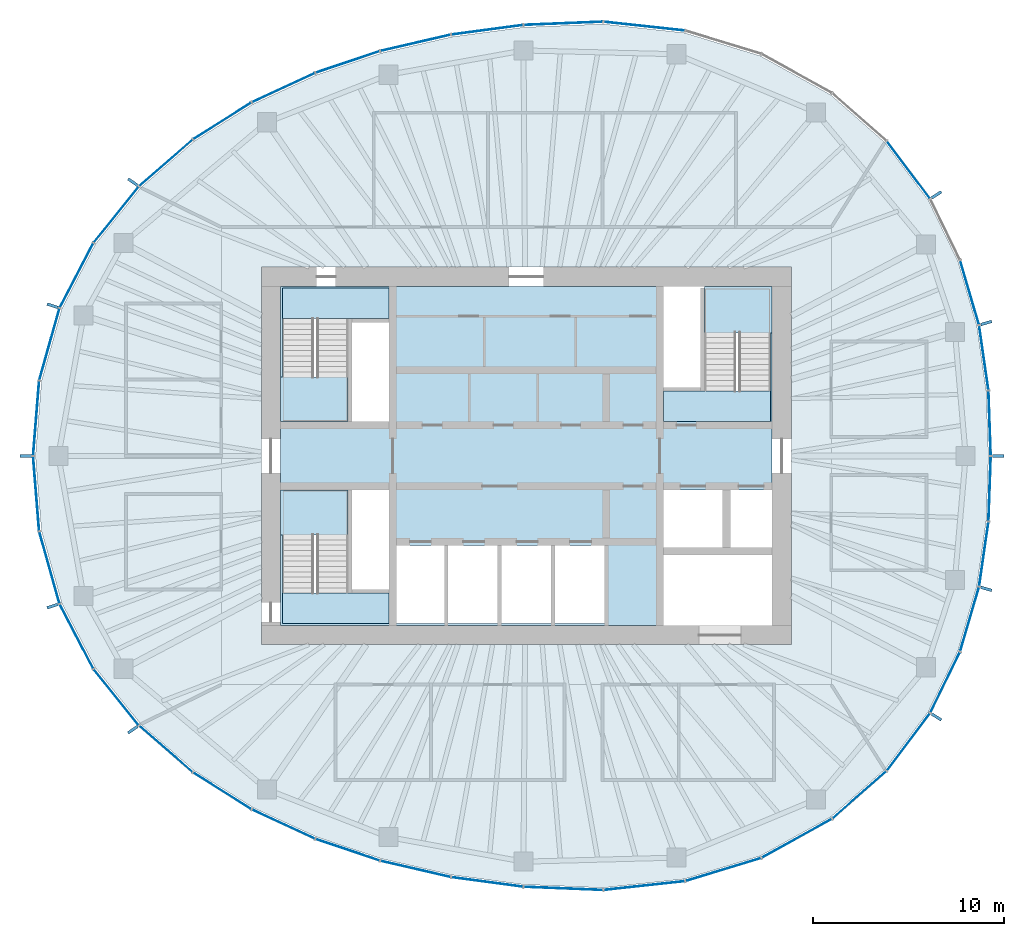
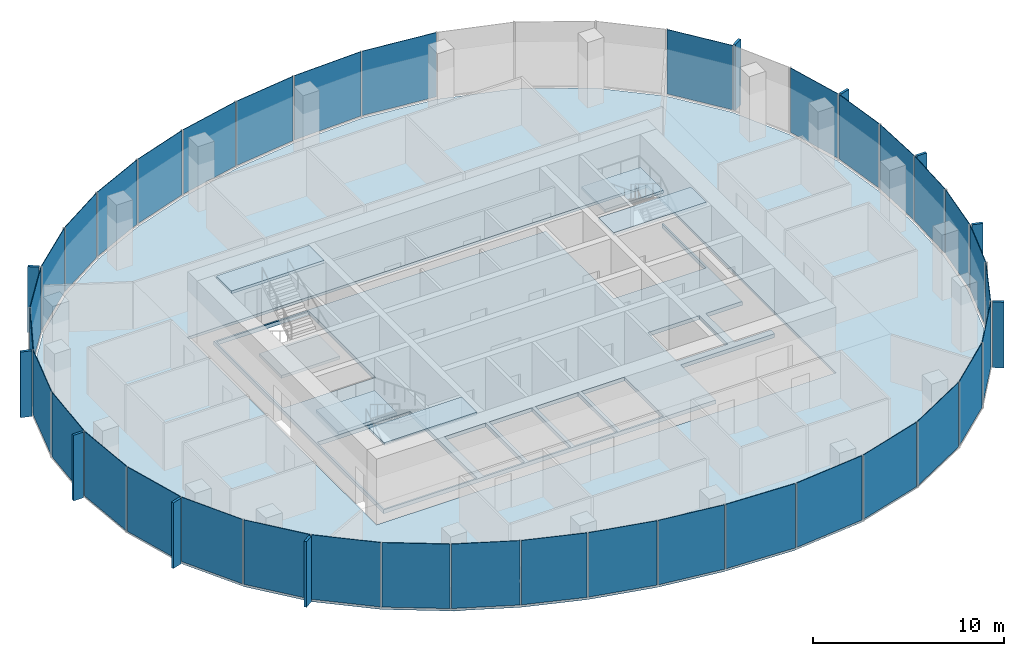
# One storey, part 7 of 11: 46 plates, 8 slabs, 22 elements without a shape of their own.
"""IFC4 building model written with IfcOpenShell, lengths in metres."""

from ifc_helpers import new_model, si_unit, direction, frame, origin, origin_2d, place, context, subcontext, project, spatial, polyline, rectangle, outline, extrude, material, layer, layer_set, type_object, element, aggregate, save


model = new_model("IFC4")

# Units and contexts
model_context = context("Model", 3, precision=1e-05, world=origin(), true_north=direction((0.0, 1.0)))
body_context = subcontext(model_context, "Body", "Model", "MODEL_VIEW")
ifc_project = project(units=[si_unit("LENGTHUNIT", "METRE"), si_unit("AREAUNIT", "SQUARE_METRE"), si_unit("VOLUMEUNIT", "CUBIC_METRE"), si_unit("PLANEANGLEUNIT", "RADIAN"), si_unit("MASSUNIT", "GRAM", prefix="KILO")], contexts=[model_context])

# Site, building, storey
site_placement = place(None, origin())
site = spatial("IfcSite", under=ifc_project, at=site_placement, CompositionType="ELEMENT")
building_placement = place(site_placement, origin())
building = spatial("IfcBuilding", under=site, at=building_placement, Name="Ghaith Harvest Tower", CompositionType="ELEMENT")
storey_placement = place(building_placement, frame((0.0, 0.0, 321.60009765625)))
storey = spatial("IfcBuildingStorey", under=building, at=storey_placement, Name="L72", CompositionType="ELEMENT", Elevation=321.60009765625)

# Curtain wall, plates
ifc_material_1 = material(Name="Black anodised aluminium and fritted glass", Category="aluminium")
curtain_wall_type = type_object("IfcCurtainWallType", Name="CW-T CURTAIN WALL", PredefinedType="NOTDEFINED", material=ifc_material_1)
curtain_wall_1_placement = place(storey_placement, origin())
curtain_wall_1 = element("IfcCurtainWall", 1, at=curtain_wall_1_placement, inside=storey, type_object=curtain_wall_type, Name="Curtain wall CW-T bay 01 L72", PredefinedType="NOTDEFINED")
ifc_material_2 = material(Name="Glass, dark solar-control fritted double glazed unit", Category="glass")
ifc_layer_1 = layer(ifc_material_2, 0.033935546875)
ifc_layer_set_1 = layer_set([ifc_layer_1], Name="CW-T VISION PANEL")
plate_type_1 = type_object("IfcPlateType", Name="CW-T VISION PANEL", PredefinedType="CURTAIN_PANEL", material=ifc_layer_set_1)
plate_1_placement = place(storey_placement, frame((24.308837890625, 1.716796875, 0.079833984375), z_axis=(0.0, 0.0, 1.0), x_axis=(-0.035536161859, 0.999368391135, 0.0)))
plate_1 = element("IfcPlate", 2, at=plate_1_placement, type_object=plate_type_1, Name="CW-T glass unit 1 bay 01 L72", PredefinedType="CURTAIN_PANEL", context=body_context, shape_type="SweptSolid", body=[
    extrude(rectangle(XDim=3.35595703125, YDim=0.033935546875, at=origin_2d()), origin(), (0.0, 0.0, 1.0), 4.1201171875),
])
plate_2_placement = place(storey_placement, frame((24.00048828125, 5.1494140625, 0.079833984375), z_axis=(0.0, 0.0, 1.0), x_axis=(-0.142729771229, 0.989761694755, 0.0)))
plate_2 = element("IfcPlate", 3, at=plate_2_placement, type_object=plate_type_1, Name="CW-T glass unit 2 bay 01 L72", PredefinedType="CURTAIN_PANEL", context=body_context, shape_type="SweptSolid", body=[
    extrude(rectangle(XDim=3.38671875, YDim=0.033935546875, at=origin_2d()), origin(), (0.0, 0.0, 1.0), 4.1201171875),
])
aggregate(curtain_wall_1, [plate_1, plate_2])

# Curtain wall, plate
curtain_wall_2_placement = place(storey_placement, origin())
curtain_wall_2 = element("IfcCurtainWall", 4, at=curtain_wall_2_placement, inside=storey, type_object=curtain_wall_type, Name="Curtain wall CW-T bay 02 L72", PredefinedType="NOTDEFINED")
plate_3_placement = place(storey_placement, frame((23.253662109375, 8.56884765625, 0.079833984375), z_axis=(0.0, 0.0, 1.0), x_axis=(-0.281344622776, 0.959606796159, 0.0)))
plate_3 = element("IfcPlate", 5, at=plate_3_placement, type_object=plate_type_1, Name="CW-T glass unit 1 bay 02 L72", PredefinedType="CURTAIN_PANEL", context=body_context, shape_type="SweptSolid", body=[
    extrude(rectangle(XDim=3.470703125, YDim=0.033935546875, at=origin_2d()), origin(), (0.0, 0.0, 1.0), 4.1201171875),
])
aggregate(curtain_wall_2, [plate_3])

curtain_wall_3_placement = place(storey_placement, origin())
curtain_wall_3 = element("IfcCurtainWall", 6, at=curtain_wall_3_placement, inside=storey, type_object=curtain_wall_type, Name="Curtain wall CW-T bay 03 L72", PredefinedType="NOTDEFINED")
plate_4_placement = place(storey_placement, frame((20.045166015625, 15.006103515625, 0.079833984375), z_axis=(0.0, 0.0, 1.0), x_axis=(-0.601047892764, 0.799213007029, 0.0)))
plate_4 = element("IfcPlate", 7, at=plate_4_placement, type_object=plate_type_1, Name="CW-T glass unit 1 bay 03 L72", PredefinedType="CURTAIN_PANEL", context=body_context, shape_type="SweptSolid", body=[
    extrude(rectangle(XDim=3.7265625, YDim=0.033935546875, at=origin_2d()), origin(), (0.0, 0.0, 1.0), 4.1201171875),
])
aggregate(curtain_wall_3, [plate_4])

# Curtain wall, plates
curtain_wall_4_placement = place(storey_placement, origin())
curtain_wall_4 = element("IfcCurtainWall", 8, at=curtain_wall_4_placement, inside=storey, type_object=curtain_wall_type, Name="Curtain wall CW-T bay 05 L72", PredefinedType="NOTDEFINED")
plate_5_placement = place(storey_placement, frame((6.188720703125, 22.542724609375, 0.079833984375), z_axis=(0.0, 0.0, 1.0), x_axis=(-0.994142883447, 0.108073712304, 0.0)))
plate_5 = element("IfcPlate", 9, at=plate_5_placement, type_object=plate_type_1, Name="CW-T glass unit 1 bay 05 L72", PredefinedType="CURTAIN_PANEL", context=body_context, shape_type="SweptSolid", body=[
    extrude(rectangle(XDim=4.24755859375, YDim=0.033935546875, at=origin_2d()), origin(), (0.0, 0.0, 1.0), 4.1201171875),
])
plate_6_placement = place(storey_placement, frame((1.94140625, 22.691162109375, 0.079833984375), z_axis=(0.0, 0.0, 1.0), x_axis=(-0.999173925852, -0.040638231968, 0.0)))
plate_6 = element("IfcPlate", 10, at=plate_6_placement, type_object=plate_type_1, Name="CW-T glass unit 2 bay 05 L72", PredefinedType="CURTAIN_PANEL", context=body_context, shape_type="SweptSolid", body=[
    extrude(rectangle(XDim=4.115966796875, YDim=0.033935546875, at=origin_2d()), origin(), (0.0, 0.0, 1.0), 4.1201171875),
])
aggregate(curtain_wall_4, [plate_5, plate_6])

curtain_wall_5_placement = place(storey_placement, origin())
curtain_wall_5 = element("IfcCurtainWall", 11, at=curtain_wall_5_placement, inside=storey, type_object=curtain_wall_type, Name="Curtain wall CW-T bay 06 L72", PredefinedType="NOTDEFINED")
plate_7_placement = place(storey_placement, frame((-2.050537109375, 22.352294921875, 0.079833984375), z_axis=(0.0, 0.0, 1.0), x_axis=(-0.991165262661, -0.132632658474, 0.0)))
plate_7 = element("IfcPlate", 12, at=plate_7_placement, type_object=plate_type_1, Name="CW-T glass unit 1 bay 06 L72", PredefinedType="CURTAIN_PANEL", context=body_context, shape_type="SweptSolid", body=[
    extrude(rectangle(XDim=3.74560546875, YDim=0.033935546875, at=origin_2d()), origin(), (0.0, 0.0, 1.0), 4.1201171875),
])
plate_8_placement = place(storey_placement, frame((-5.80859375, 21.66845703125, 0.079833984375), z_axis=(0.0, 0.0, 1.0), x_axis=(-0.974342245415, -0.225071519297, 0.0)))
plate_8 = element("IfcPlate", 13, at=plate_8_placement, type_object=plate_type_1, Name="CW-T glass unit 2 bay 06 L72", PredefinedType="CURTAIN_PANEL", context=body_context, shape_type="SweptSolid", body=[
    extrude(rectangle(XDim=3.742431640625, YDim=0.033935546875, at=origin_2d()), origin(), (0.0, 0.0, 1.0), 4.1201171875),
])
aggregate(curtain_wall_5, [plate_7, plate_8])

curtain_wall_6_placement = place(storey_placement, origin())
curtain_wall_6 = element("IfcCurtainWall", 14, at=curtain_wall_6_placement, inside=storey, type_object=curtain_wall_type, Name="Curtain wall CW-T bay 07 L72", PredefinedType="NOTDEFINED")
plate_9_placement = place(storey_placement, frame((-9.369140625, 20.665771484375, 0.079833984375), z_axis=(0.0, 0.0, 1.0), x_axis=(-0.947586403329, -0.319499621637, 0.0)))
plate_9 = element("IfcPlate", 15, at=plate_9_placement, type_object=plate_type_1, Name="CW-T glass unit 1 bay 07 L72", PredefinedType="CURTAIN_PANEL", context=body_context, shape_type="SweptSolid", body=[
    extrude(rectangle(XDim=3.50439453125, YDim=0.033935546875, at=origin_2d()), origin(), (0.0, 0.0, 1.0), 4.1201171875),
])
plate_10_placement = place(storey_placement, frame((-12.736083984375, 19.3203125, 0.079833984375), z_axis=(0.0, 0.0, 1.0), x_axis=(-0.907450165401, -0.420159728334, 0.0)))
plate_10 = element("IfcPlate", 16, at=plate_10_placement, type_object=plate_type_1, Name="CW-T glass unit 2 bay 07 L72", PredefinedType="CURTAIN_PANEL", context=body_context, shape_type="SweptSolid", body=[
    extrude(rectangle(XDim=3.597900390625, YDim=0.033935546875, at=origin_2d()), origin(), (0.0, 0.0, 1.0), 4.1201171875),
])
aggregate(curtain_wall_6, [plate_9, plate_10])

curtain_wall_7_placement = place(storey_placement, origin())
curtain_wall_7 = element("IfcCurtainWall", 17, at=curtain_wall_7_placement, inside=storey, type_object=curtain_wall_type, Name="Curtain wall CW-T bay 08 L72", PredefinedType="NOTDEFINED")
plate_11_placement = place(storey_placement, frame((-15.94970703125, 17.57421875, 0.079833984375), z_axis=(0.0, 0.0, 1.0), x_axis=(-0.846043473903, -0.533113909279, 0.0)))
plate_11 = element("IfcPlate", 18, at=plate_11_placement, type_object=plate_type_1, Name="CW-T glass unit 1 bay 08 L72", PredefinedType="CURTAIN_PANEL", context=body_context, shape_type="SweptSolid", body=[
    extrude(rectangle(XDim=3.572021484375, YDim=0.033935546875, at=origin_2d()), origin(), (0.0, 0.0, 1.0), 4.1201171875),
])
plate_12_placement = place(storey_placement, frame((-18.909423828125, 15.371337890625, 0.079833984375), z_axis=(0.0, 0.0, 1.0), x_axis=(-0.754828549513, -0.655922145411, 0.0)))
plate_12 = element("IfcPlate", 19, at=plate_12_placement, type_object=plate_type_1, Name="CW-T glass unit 2 bay 08 L72", PredefinedType="CURTAIN_PANEL", context=body_context, shape_type="SweptSolid", body=[
    extrude(rectangle(XDim=3.668701171875, YDim=0.033935546875, at=origin_2d()), origin(), (0.0, 0.0, 1.0), 4.1201171875),
])
aggregate(curtain_wall_7, [plate_11, plate_12])

curtain_wall_8_placement = place(storey_placement, origin())
curtain_wall_8 = element("IfcCurtainWall", 20, at=curtain_wall_8_placement, inside=storey, type_object=curtain_wall_type, Name="Curtain wall CW-T bay 09 L72", PredefinedType="NOTDEFINED")
plate_13_placement = place(storey_placement, frame((-21.515380859375, 12.6591796875, 0.079833984375), z_axis=(0.0, 0.0, 1.0), x_axis=(-0.626229505742, -0.779638766441, 0.0)))
plate_13 = element("IfcPlate", 21, at=plate_13_placement, type_object=plate_type_1, Name="CW-T glass unit 1 bay 09 L72", PredefinedType="CURTAIN_PANEL", context=body_context, shape_type="SweptSolid", body=[
    extrude(rectangle(XDim=3.723388671875, YDim=0.033935546875, at=origin_2d()), origin(), (0.0, 0.0, 1.0), 4.1201171875),
])
plate_14_placement = place(storey_placement, frame((-23.594482421875, 9.4677734375, 0.079833984375), z_axis=(0.0, 0.0, 1.0), x_axis=(-0.461229945578, -0.887280641794, 0.0)))
plate_14 = element("IfcPlate", 22, at=plate_14_placement, type_object=plate_type_1, Name="CW-T glass unit 2 bay 09 L72", PredefinedType="CURTAIN_PANEL", context=body_context, shape_type="SweptSolid", body=[
    extrude(rectangle(XDim=3.771728515625, YDim=0.033935546875, at=origin_2d()), origin(), (0.0, 0.0, 1.0), 4.1201171875),
])
aggregate(curtain_wall_8, [plate_13, plate_14])

curtain_wall_9_placement = place(storey_placement, origin())
curtain_wall_9 = element("IfcCurtainWall", 23, at=curtain_wall_9_placement, inside=storey, type_object=curtain_wall_type, Name="Curtain wall CW-T bay 10 L72", PredefinedType="NOTDEFINED")
plate_15_placement = place(storey_placement, frame((-25.017333984375, 5.85546875, 0.079833984375), z_axis=(0.0, 0.0, 1.0), x_axis=(-0.270355239749, -0.962760637095, 0.0)))
plate_15 = element("IfcPlate", 24, at=plate_15_placement, type_object=plate_type_1, Name="CW-T glass unit 1 bay 10 L72", PredefinedType="CURTAIN_PANEL", context=body_context, shape_type="SweptSolid", body=[
    extrude(rectangle(XDim=3.874267578125, YDim=0.033935546875, at=origin_2d()), origin(), (0.0, 0.0, 1.0), 4.1201171875),
])
plate_16_placement = place(storey_placement, frame((-25.7109375, 1.97607421875, 0.079833984375), z_axis=(0.0, 0.0, 1.0), x_axis=(-0.080257648011, -0.99677415192, 0.0)))
plate_16 = element("IfcPlate", 25, at=plate_16_placement, type_object=plate_type_1, Name="CW-T glass unit 2 bay 10 L72", PredefinedType="CURTAIN_PANEL", context=body_context, shape_type="SweptSolid", body=[
    extrude(rectangle(XDim=3.884765625, YDim=0.033935546875, at=origin_2d()), origin(), (0.0, 0.0, 1.0), 4.1201171875),
])
aggregate(curtain_wall_9, [plate_15, plate_16])

curtain_wall_10_placement = place(storey_placement, origin())
curtain_wall_10 = element("IfcCurtainWall", 26, at=curtain_wall_10_placement, inside=storey, type_object=curtain_wall_type, Name="Curtain wall CW-T bay 11 L72", PredefinedType="NOTDEFINED")
plate_17_placement = place(storey_placement, frame((-25.7109375, -1.97607421875, 0.079833984375), z_axis=(0.0, 0.0, 1.0), x_axis=(0.080257648324, -0.996774151895, 0.0)))
plate_17 = element("IfcPlate", 27, at=plate_17_placement, type_object=plate_type_1, Name="CW-T glass unit 1 bay 11 L72", PredefinedType="CURTAIN_PANEL", context=body_context, shape_type="SweptSolid", body=[
    extrude(rectangle(XDim=3.884765625, YDim=0.033935546875, at=origin_2d()), origin(), (0.0, 0.0, 1.0), 4.1201171875),
])
plate_18_placement = place(storey_placement, frame((-25.017333984375, -5.85546875, 0.079833984375), z_axis=(0.0, 0.0, 1.0), x_axis=(0.27035523953, -0.962760637157, 0.0)))
plate_18 = element("IfcPlate", 28, at=plate_18_placement, type_object=plate_type_1, Name="CW-T glass unit 2 bay 11 L72", PredefinedType="CURTAIN_PANEL", context=body_context, shape_type="SweptSolid", body=[
    extrude(rectangle(XDim=3.874267578125, YDim=0.033935546875, at=origin_2d()), origin(), (0.0, 0.0, 1.0), 4.1201171875),
])
aggregate(curtain_wall_10, [plate_17, plate_18])

curtain_wall_11_placement = place(storey_placement, origin())
curtain_wall_11 = element("IfcCurtainWall", 29, at=curtain_wall_11_placement, inside=storey, type_object=curtain_wall_type, Name="Curtain wall CW-T bay 12 L72", PredefinedType="NOTDEFINED")
plate_19_placement = place(storey_placement, frame((-23.594482421875, -9.4677734375, 0.079833984375), z_axis=(0.0, 0.0, 1.0), x_axis=(0.461229945377, -0.887280641898, 0.0)))
plate_19 = element("IfcPlate", 30, at=plate_19_placement, type_object=plate_type_1, Name="CW-T glass unit 1 bay 12 L72", PredefinedType="CURTAIN_PANEL", context=body_context, shape_type="SweptSolid", body=[
    extrude(rectangle(XDim=3.771728515625, YDim=0.033935546875, at=origin_2d()), origin(), (0.0, 0.0, 1.0), 4.1201171875),
])
plate_20_placement = place(storey_placement, frame((-21.515380859375, -12.6591796875, 0.079833984375), z_axis=(0.0, 0.0, 1.0), x_axis=(0.626229505565, -0.779638766583, 0.0)))
plate_20 = element("IfcPlate", 31, at=plate_20_placement, type_object=plate_type_1, Name="CW-T glass unit 2 bay 12 L72", PredefinedType="CURTAIN_PANEL", context=body_context, shape_type="SweptSolid", body=[
    extrude(rectangle(XDim=3.723388671875, YDim=0.033935546875, at=origin_2d()), origin(), (0.0, 0.0, 1.0), 4.1201171875),
])
aggregate(curtain_wall_11, [plate_19, plate_20])

curtain_wall_12_placement = place(storey_placement, origin())
curtain_wall_12 = element("IfcCurtainWall", 32, at=curtain_wall_12_placement, inside=storey, type_object=curtain_wall_type, Name="Curtain wall CW-T bay 13 L72", PredefinedType="NOTDEFINED")
plate_21_placement = place(storey_placement, frame((-18.909423828125, -15.371337890625, 0.079833984375), z_axis=(0.0, 0.0, 1.0), x_axis=(0.754828549376, -0.655922145569, 0.0)))
plate_21 = element("IfcPlate", 33, at=plate_21_placement, type_object=plate_type_1, Name="CW-T glass unit 1 bay 13 L72", PredefinedType="CURTAIN_PANEL", context=body_context, shape_type="SweptSolid", body=[
    extrude(rectangle(XDim=3.668701171875, YDim=0.033935546875, at=origin_2d()), origin(), (0.0, 0.0, 1.0), 4.1201171875),
])
plate_22_placement = place(storey_placement, frame((-15.94970703125, -17.57421875, 0.079833984375), z_axis=(0.0, 0.0, 1.0), x_axis=(0.846043474052, -0.533113909042, 0.0)))
plate_22 = element("IfcPlate", 34, at=plate_22_placement, type_object=plate_type_1, Name="CW-T glass unit 2 bay 13 L72", PredefinedType="CURTAIN_PANEL", context=body_context, shape_type="SweptSolid", body=[
    extrude(rectangle(XDim=3.572021484375, YDim=0.033935546875, at=origin_2d()), origin(), (0.0, 0.0, 1.0), 4.1201171875),
])
aggregate(curtain_wall_12, [plate_21, plate_22])

curtain_wall_13_placement = place(storey_placement, origin())
curtain_wall_13 = element("IfcCurtainWall", 35, at=curtain_wall_13_placement, inside=storey, type_object=curtain_wall_type, Name="Curtain wall CW-T bay 14 L72", PredefinedType="NOTDEFINED")
plate_23_placement = place(storey_placement, frame((-12.736083984375, -19.3203125, 0.079833984375), z_axis=(0.0, 0.0, 1.0), x_axis=(0.907450165812, -0.420159727447, 0.0)))
plate_23 = element("IfcPlate", 36, at=plate_23_placement, type_object=plate_type_1, Name="CW-T glass unit 1 bay 14 L72", PredefinedType="CURTAIN_PANEL", context=body_context, shape_type="SweptSolid", body=[
    extrude(rectangle(XDim=3.597900390625, YDim=0.033935546875, at=origin_2d()), origin(), (0.0, 0.0, 1.0), 4.1201171875),
])
plate_24_placement = place(storey_placement, frame((-9.369140625, -20.665771484375, 0.079833984375), z_axis=(0.0, 0.0, 1.0), x_axis=(0.947586403597, -0.319499620843, 0.0)))
plate_24 = element("IfcPlate", 37, at=plate_24_placement, type_object=plate_type_1, Name="CW-T glass unit 2 bay 14 L72", PredefinedType="CURTAIN_PANEL", context=body_context, shape_type="SweptSolid", body=[
    extrude(rectangle(XDim=3.50439453125, YDim=0.033935546875, at=origin_2d()), origin(), (0.0, 0.0, 1.0), 4.1201171875),
])
aggregate(curtain_wall_13, [plate_23, plate_24])

curtain_wall_14_placement = place(storey_placement, origin())
curtain_wall_14 = element("IfcCurtainWall", 38, at=curtain_wall_14_placement, inside=storey, type_object=curtain_wall_type, Name="Curtain wall CW-T bay 15 L72", PredefinedType="NOTDEFINED")
plate_25_placement = place(storey_placement, frame((-5.80859375, -21.66845703125, 0.079833984375), z_axis=(0.0, 0.0, 1.0), x_axis=(0.974342245521, -0.225071518838, 0.0)))
plate_25 = element("IfcPlate", 39, at=plate_25_placement, type_object=plate_type_1, Name="CW-T glass unit 1 bay 15 L72", PredefinedType="CURTAIN_PANEL", context=body_context, shape_type="SweptSolid", body=[
    extrude(rectangle(XDim=3.742431640625, YDim=0.033935546875, at=origin_2d()), origin(), (0.0, 0.0, 1.0), 4.1201171875),
])
plate_26_placement = place(storey_placement, frame((-2.050537109375, -22.352294921875, 0.079833984375), z_axis=(0.0, 0.0, 1.0), x_axis=(0.991165262684, -0.132632658301, 0.0)))
plate_26 = element("IfcPlate", 40, at=plate_26_placement, type_object=plate_type_1, Name="CW-T glass unit 2 bay 15 L72", PredefinedType="CURTAIN_PANEL", context=body_context, shape_type="SweptSolid", body=[
    extrude(rectangle(XDim=3.74560546875, YDim=0.033935546875, at=origin_2d()), origin(), (0.0, 0.0, 1.0), 4.1201171875),
])
aggregate(curtain_wall_14, [plate_25, plate_26])

curtain_wall_15_placement = place(storey_placement, origin())
curtain_wall_15 = element("IfcCurtainWall", 41, at=curtain_wall_15_placement, inside=storey, type_object=curtain_wall_type, Name="Curtain wall CW-T bay 16 L72", PredefinedType="NOTDEFINED")
plate_27_placement = place(storey_placement, frame((1.94140625, -22.691162109375, 0.079833984375), z_axis=(0.0, 0.0, 1.0), x_axis=(0.999173925863, -0.040638231706, 0.0)))
plate_27 = element("IfcPlate", 42, at=plate_27_placement, type_object=plate_type_1, Name="CW-T glass unit 1 bay 16 L72", PredefinedType="CURTAIN_PANEL", context=body_context, shape_type="SweptSolid", body=[
    extrude(rectangle(XDim=4.115966796875, YDim=0.033935546875, at=origin_2d()), origin(), (0.0, 0.0, 1.0), 4.1201171875),
])
plate_28_placement = place(storey_placement, frame((6.188720703125, -22.542724609375, 0.079833984375), z_axis=(0.0, 0.0, 1.0), x_axis=(0.994142883417, 0.108073712581, 0.0)))
plate_28 = element("IfcPlate", 43, at=plate_28_placement, type_object=plate_type_1, Name="CW-T glass unit 2 bay 16 L72", PredefinedType="CURTAIN_PANEL", context=body_context, shape_type="SweptSolid", body=[
    extrude(rectangle(XDim=4.24755859375, YDim=0.033935546875, at=origin_2d()), origin(), (0.0, 0.0, 1.0), 4.1201171875),
])
aggregate(curtain_wall_15, [plate_27, plate_28])

curtain_wall_16_placement = place(storey_placement, origin())
curtain_wall_16 = element("IfcCurtainWall", 44, at=curtain_wall_16_placement, inside=storey, type_object=curtain_wall_type, Name="Curtain wall CW-T bay 17 L72", PredefinedType="NOTDEFINED")
plate_29_placement = place(storey_placement, frame((10.337158203125, -21.700439453125, 0.079833984375), z_axis=(0.0, 0.0, 1.0), x_axis=(0.956587736012, 0.291444511548, 0.0)))
plate_29 = element("IfcPlate", 45, at=plate_29_placement, type_object=plate_type_1, Name="CW-T glass unit 1 bay 17 L72", PredefinedType="CURTAIN_PANEL", context=body_context, shape_type="SweptSolid", body=[
    extrude(rectangle(XDim=4.095703125, YDim=0.033935546875, at=origin_2d()), origin(), (0.0, 0.0, 1.0), 4.1201171875),
])
plate_30_placement = place(storey_placement, frame((14.19189453125, -20.06201171875, 0.079833984375), z_axis=(0.0, 0.0, 1.0), x_axis=(0.874564022715, 0.484910064004, 0.0)))
plate_30 = element("IfcPlate", 46, at=plate_30_placement, type_object=plate_type_1, Name="CW-T glass unit 2 bay 17 L72", PredefinedType="CURTAIN_PANEL", context=body_context, shape_type="SweptSolid", body=[
    extrude(rectangle(XDim=4.167724609375, YDim=0.033935546875, at=origin_2d()), origin(), (0.0, 0.0, 1.0), 4.1201171875),
])
aggregate(curtain_wall_16, [plate_29, plate_30])

curtain_wall_17_placement = place(storey_placement, origin())
curtain_wall_17 = element("IfcCurtainWall", 47, at=curtain_wall_17_placement, inside=storey, type_object=curtain_wall_type, Name="Curtain wall CW-T bay 18 L72", PredefinedType="NOTDEFINED")
plate_31_placement = place(storey_placement, frame((17.47509765625, -17.779541015625, 0.079833984375), z_axis=(0.0, 0.0, 1.0), x_axis=(0.751334532577, 0.659921525757, 0.0)))
plate_31 = element("IfcPlate", 48, at=plate_31_placement, type_object=plate_type_1, Name="CW-T glass unit 1 bay 18 L72", PredefinedType="CURTAIN_PANEL", context=body_context, shape_type="SweptSolid", body=[
    extrude(rectangle(XDim=3.7158203125, YDim=0.033935546875, at=origin_2d()), origin(), (0.0, 0.0, 1.0), 4.1201171875),
])
plate_32_placement = place(storey_placement, frame((20.045166015625, -15.006103515625, 0.079833984375), z_axis=(0.0, 0.0, 1.0), x_axis=(0.601047892945, 0.799213006892, 0.0)))
plate_32 = element("IfcPlate", 49, at=plate_32_placement, type_object=plate_type_1, Name="CW-T glass unit 2 bay 18 L72", PredefinedType="CURTAIN_PANEL", context=body_context, shape_type="SweptSolid", body=[
    extrude(rectangle(XDim=3.7265625, YDim=0.033935546875, at=origin_2d()), origin(), (0.0, 0.0, 1.0), 4.1201171875),
])
aggregate(curtain_wall_17, [plate_31, plate_32])

curtain_wall_18_placement = place(storey_placement, origin())
curtain_wall_18 = element("IfcCurtainWall", 50, at=curtain_wall_18_placement, inside=storey, type_object=curtain_wall_type, Name="Curtain wall CW-T bay 19 L72", PredefinedType="NOTDEFINED")
plate_33_placement = place(storey_placement, frame((21.9716796875, -11.878662109375, 0.079833984375), z_axis=(0.0, 0.0, 1.0), x_axis=(0.437968365352, 0.898990384237, 0.0)))
plate_33 = element("IfcPlate", 51, at=plate_33_placement, type_object=plate_type_1, Name="CW-T glass unit 1 bay 19 L72", PredefinedType="CURTAIN_PANEL", context=body_context, shape_type="SweptSolid", body=[
    extrude(rectangle(XDim=3.49365234375, YDim=0.033935546875, at=origin_2d()), origin(), (0.0, 0.0, 1.0), 4.1201171875),
])
plate_34_placement = place(storey_placement, frame((23.253662109375, -8.56884765625, 0.079833984375), z_axis=(0.0, 0.0, 1.0), x_axis=(0.281344622977, 0.9596067961, 0.0)))
plate_34 = element("IfcPlate", 52, at=plate_34_placement, type_object=plate_type_1, Name="CW-T glass unit 2 bay 19 L72", PredefinedType="CURTAIN_PANEL", context=body_context, shape_type="SweptSolid", body=[
    extrude(rectangle(XDim=3.470703125, YDim=0.033935546875, at=origin_2d()), origin(), (0.0, 0.0, 1.0), 4.1201171875),
])
aggregate(curtain_wall_18, [plate_33, plate_34])

curtain_wall_19_placement = place(storey_placement, origin())
curtain_wall_19 = element("IfcCurtainWall", 53, at=curtain_wall_19_placement, inside=storey, type_object=curtain_wall_type, Name="Curtain wall CW-T bay 20 L72", PredefinedType="NOTDEFINED")
plate_35_placement = place(storey_placement, frame((24.00048828125, -5.1494140625, 0.079833984375), z_axis=(0.0, 0.0, 1.0), x_axis=(0.142729771402, 0.98976169473, 0.0)))
plate_35 = element("IfcPlate", 54, at=plate_35_placement, type_object=plate_type_1, Name="CW-T glass unit 1 bay 20 L72", PredefinedType="CURTAIN_PANEL", context=body_context, shape_type="SweptSolid", body=[
    extrude(rectangle(XDim=3.38671875, YDim=0.033935546875, at=origin_2d()), origin(), (0.0, 0.0, 1.0), 4.1201171875),
])
plate_36_placement = place(storey_placement, frame((24.308837890625, -1.716796875, 0.079833984375), z_axis=(0.0, 0.0, 1.0), x_axis=(0.035536161929, 0.999368391133, 0.0)))
plate_36 = element("IfcPlate", 55, at=plate_36_placement, type_object=plate_type_1, Name="CW-T glass unit 2 bay 20 L72", PredefinedType="CURTAIN_PANEL", context=body_context, shape_type="SweptSolid", body=[
    extrude(rectangle(XDim=3.35595703125, YDim=0.033935546875, at=origin_2d()), origin(), (0.0, 0.0, 1.0), 4.1201171875),
])
aggregate(curtain_wall_19, [plate_35, plate_36])

# Slabs
ifc_material_3 = material(Name="Concrete C40/50", Category="concrete")
ifc_layer_2 = layer(ifc_material_3, 0.169921875)
ifc_layer_set_2 = layer_set([ifc_layer_2], Name="FLOOR SLAB 170")
slab_type_1 = type_object("IfcSlabType", Name="FLOOR SLAB 170", PredefinedType="FLOOR", material=ifc_layer_set_2)
slab_1_placement = place(storey_placement, frame((0.0, 0.0, -0.170166015625)))
element("IfcSlab", 56, at=slab_1_placement, inside=storey, type_object=slab_type_1, Name="Floor slab L72", PredefinedType="FLOOR", context=body_context, shape_type="SweptSolid", body=[
    extrude(outline(polyline([(24.25, 0.0), (24.129150390625, 3.4169921875), (23.6376953125, 6.831787109375), (22.644775390625, 10.222900390625), (21.087890625, 13.42041015625), (18.810791015625, 16.4482421875), (15.971923828125, 18.940185546875), (12.273681640625, 20.98828125), (8.2978515625, 22.1962890625), (4.016845703125, 22.658447265625), (-0.15380859375, 22.486083984375), (-3.92529296875, 21.98046875), (-7.6298828125, 21.12548828125), (-11.009521484375, 19.98779296875), (-14.331298828125, 18.452880859375), (-17.40771484375, 16.518310546875), (-20.225830078125, 14.0732421875), (-22.5986328125, 11.12353515625), (-24.368408203125, 7.722900390625), (-25.43310546875, 3.93359375), (-25.75, 0.0), (-25.43310546875, -3.93359375), (-24.368408203125, -7.722900390625), (-22.5986328125, -11.12353515625), (-20.225830078125, -14.0732421875), (-17.40771484375, -16.518310546875), (-14.331298828125, -18.452880859375), (-11.009521484375, -19.98779296875), (-7.6298828125, -21.12548828125), (-3.92529296875, -21.98046875), (-0.15380859375, -22.486083984375), (4.016845703125, -22.658447265625), (8.2978515625, -22.1962890625), (12.273681640625, -20.98828125), (15.971923828125, -18.940185546875), (18.810791015625, -16.4482421875), (21.087890625, -13.42041015625), (22.644775390625, -10.222900390625), (23.6376953125, -6.831787109375), (24.129150390625, -3.4169921875), (24.25, 0.0)]), holes=[polyline([(-13.89990234375, -9.89990234375), (13.89990234375, -9.89990234375), (13.89990234375, 9.89990234375), (-13.89990234375, 9.89990234375), (-13.89990234375, -9.89990234375)])]), origin(), (0.0, 0.0, 1.0), 0.170166015625),
])
ifc_material_4 = material(Name="Concrete C40/50", Category="concrete")
ifc_layer_3 = layer(ifc_material_4, 0.25)
ifc_layer_set_3 = layer_set([ifc_layer_3], Name="FLOOR SLAB 250")
slab_type_2 = type_object("IfcSlabType", Name="FLOOR SLAB 250", PredefinedType="FLOOR", material=ifc_layer_set_3)
slab_2_placement = place(storey_placement, frame((0.0, 0.0, -0.25)))
element("IfcSlab", 57, at=slab_2_placement, inside=storey, type_object=slab_type_2, Name="Core slab L72", PredefinedType="FLOOR", context=body_context, shape_type="SweptSolid", body=[
    extrude(outline(polyline([(-12.89990234375, 8.89990234375), (7.199951171875, 8.89990234375), (7.199951171875, 1.800048828125), (12.800048828125, 1.800048828125), (12.800048828125, 6.4599609375), (12.89990234375, 6.4599609375), (12.89990234375, -1.800048828125), (10.699951171875, -1.800048828125), (10.699951171875, -4.800048828125), (12.89990234375, -4.800048828125), (12.89990234375, -5.199951171875), (7.199951171875, -5.199951171875), (7.199951171875, -8.89990234375), (-12.89990234375, -8.89990234375), (-12.89990234375, 8.89990234375)]), holes=[polyline([(-4.300048828125, -4.699951171875), (-6.800048828125, -4.699951171875), (-6.800048828125, -8.800048828125), (-4.300048828125, -8.800048828125), (-4.300048828125, -4.699951171875)]), polyline([(-1.5, -4.699951171875), (-4.10009765625, -4.699951171875), (-4.10009765625, -8.800048828125), (-1.5, -8.800048828125), (-1.5, -4.699951171875)]), polyline([(1.300048828125, -8.800048828125), (1.300048828125, -4.699951171875), (-1.300048828125, -4.699951171875), (-1.300048828125, -8.800048828125), (1.300048828125, -8.800048828125)]), polyline([(4.10009765625, -8.800048828125), (4.10009765625, -4.699951171875), (1.5, -4.699951171875), (1.5, -8.800048828125), (4.10009765625, -8.800048828125)]), polyline([(-7.199951171875, -1.800048828125), (-12.800048828125, -1.800048828125), (-12.800048828125, -8.800048828125), (-7.199951171875, -8.800048828125), (-7.199951171875, -1.800048828125)]), polyline([(10.300048828125, -1.800048828125), (7.199951171875, -1.800048828125), (7.199951171875, -4.800048828125), (10.300048828125, -4.800048828125), (10.300048828125, -1.800048828125)]), polyline([(-12.800048828125, 1.800048828125), (-7.199951171875, 1.800048828125), (-7.199951171875, 8.800048828125), (-12.800048828125, 8.800048828125), (-12.800048828125, 1.800048828125)])]), origin(), (0.0, 0.0, 1.0), 0.25),
])

# Stair, slabs
ifc_material_5 = material(Name="Concrete C40/50, precast", Category="concrete")
stair_type = type_object("IfcStairType", Name="CORE STAIR 24R", PredefinedType="HALF_TURN_STAIR", material=ifc_material_5)
stair_1_placement = place(storey_placement, origin())
stair_1 = element("IfcStair", 58, at=stair_1_placement, inside=storey, type_object=stair_type, Name="Stair ST1 L72", PredefinedType="HALF_TURN_STAIR")
ifc_material_6 = material(Name="Concrete C40/50, precast", Category="concrete")
ifc_layer_4 = layer(ifc_material_6, 0.179931640625)
ifc_layer_set_4 = layer_set([ifc_layer_4], Name="STAIR LANDING 180")
slab_type_3 = type_object("IfcSlabType", Name="STAIR LANDING 180", PredefinedType="LANDING", material=ifc_layer_set_4)
slab_3_placement = place(storey_placement, frame((0.0, 0.0, 1.919921875)))
slab_3 = element("IfcSlab", 59, at=slab_3_placement, type_object=slab_type_3, Name="ST1 landing 1", PredefinedType="LANDING", context=body_context, shape_type="SweptSolid", body=[
    extrude(outline(polyline([(-12.89990234375, 4.139892578125), (-12.89990234375, 1.800048828125), (-9.35009765625, 1.800048828125), (-9.35009765625, 4.139892578125), (-12.89990234375, 4.139892578125)])), origin(), (0.0, 0.0, 1.0), 0.179931640625),
])
slab_4_placement = place(storey_placement, frame((0.0, 0.0, 4.02001953125)))
slab_4 = element("IfcSlab", 60, at=slab_4_placement, type_object=slab_type_3, Name="ST1 landing 2", PredefinedType="LANDING", context=body_context, shape_type="SweptSolid", body=[
    extrude(outline(polyline([(-12.800048828125, 8.800048828125), (-12.800048828125, 7.199951171875), (-7.199951171875, 7.199951171875), (-7.199951171875, 8.800048828125), (-12.800048828125, 8.800048828125)])), origin(), (0.0, 0.0, 1.0), 0.179931640625),
])
aggregate(stair_1, [slab_3, slab_4])

stair_2_placement = place(storey_placement, origin())
stair_2 = element("IfcStair", 61, at=stair_2_placement, inside=storey, type_object=stair_type, Name="Stair ST3 L72", PredefinedType="HALF_TURN_STAIR")
slab_5_placement = place(storey_placement, frame((0.0, 0.0, 1.919921875)))
slab_5 = element("IfcSlab", 62, at=slab_5_placement, type_object=slab_type_3, Name="ST3 landing 1", PredefinedType="LANDING", context=body_context, shape_type="SweptSolid", body=[
    extrude(outline(polyline([(-12.89990234375, -4.139892578125), (-12.89990234375, -1.800048828125), (-9.35009765625, -1.800048828125), (-9.35009765625, -4.139892578125), (-12.89990234375, -4.139892578125)])), origin(), (0.0, 0.0, 1.0), 0.179931640625),
])
slab_6_placement = place(storey_placement, frame((0.0, 0.0, 4.02001953125)))
slab_6 = element("IfcSlab", 63, at=slab_6_placement, type_object=slab_type_3, Name="ST3 landing 2", PredefinedType="LANDING", context=body_context, shape_type="SweptSolid", body=[
    extrude(outline(polyline([(-12.800048828125, -8.800048828125), (-12.800048828125, -7.199951171875), (-7.199951171875, -7.199951171875), (-7.199951171875, -8.800048828125), (-12.800048828125, -8.800048828125)])), origin(), (0.0, 0.0, 1.0), 0.179931640625),
])
aggregate(stair_2, [slab_5, slab_6])

stair_3_placement = place(storey_placement, origin())
stair_3 = element("IfcStair", 64, at=stair_3_placement, inside=storey, type_object=stair_type, Name="Stair ST2 L72", PredefinedType="HALF_TURN_STAIR")
slab_7_placement = place(storey_placement, frame((0.0, 0.0, 1.919921875)))
slab_7 = element("IfcSlab", 65, at=slab_7_placement, type_object=slab_type_3, Name="ST2 landing 1", PredefinedType="LANDING", context=body_context, shape_type="SweptSolid", body=[
    extrude(outline(polyline([(12.89990234375, 6.4599609375), (12.89990234375, 8.89990234375), (9.35009765625, 8.89990234375), (9.35009765625, 6.4599609375), (12.89990234375, 6.4599609375)])), origin(), (0.0, 0.0, 1.0), 0.179931640625),
])
slab_8_placement = place(storey_placement, frame((0.0, 0.0, 4.02001953125)))
slab_8 = element("IfcSlab", 66, at=slab_8_placement, type_object=slab_type_3, Name="ST2 landing 2", PredefinedType="LANDING", context=body_context, shape_type="SweptSolid", body=[
    extrude(outline(polyline([(12.800048828125, 1.800048828125), (12.800048828125, 3.39990234375), (7.199951171875, 3.39990234375), (7.199951171875, 1.800048828125), (12.800048828125, 1.800048828125)])), origin(), (0.0, 0.0, 1.0), 0.179931640625),
])
aggregate(stair_3, [slab_7, slab_8])

# Plates
ifc_material_7 = material(Name="Glassfibre-reinforced concrete", Category="concrete")
ifc_layer_5 = layer(ifc_material_7, 0.14990234375)
ifc_layer_set_5 = layer_set([ifc_layer_5], Name="SUN-BREAKER FIN 600x150")
plate_type_2 = type_object("IfcPlateType", Name="SUN-BREAKER FIN 600x150", PredefinedType="USERDEFINED", material=ifc_layer_set_5)
for number, where, z_axis, x_axis, name in (
    (67, (24.760009765625, 0.0, 0.0), (0.0, 0.0, 1.0), (1.0, 0.0, 0.0), "Sun-breaker fin CW-T 1 bay 01 L72"),
    (68, (24.127685546875, 6.973388671875, 0.0), (0.0, 0.0, 1.0), (0.960680349985, 0.277656739792, 0.0), "Sun-breaker fin CW-T 1 bay 02 L72"),
    (69, (21.51806640625, 13.6943359375, 0.0), (0.0, 0.0, 1.0), (0.843643971464, 0.536903016766, 0.0), "Sun-breaker fin CW-T 1 bay 03 L72"),
    (70, (-20.64453125, 14.364501953125, 0.0), (0.0, 0.0, 1.0), (-0.820845486523, 0.571150319316, 0.0), "Sun-breaker fin CW-T 1 bay 09 L72"),
    (71, (-24.8544921875, 7.876708984375, 0.0), (0.0, 0.0, 1.0), (-0.953273219358, 0.302109531884, 0.0), "Sun-breaker fin CW-T 1 bay 10 L72"),
    (72, (-26.260009765625, 0.0, 0.0), (0.0, 0.0, 1.0), (-1.0, -4.19e-10, 0.0), "Sun-breaker fin CW-T 1 bay 11 L72"),
    (73, (-24.8544921875, -7.876708984375, 0.0), (0.0, 0.0, 1.0), (-0.953273219416, -0.302109531701, 0.0), "Sun-breaker fin CW-T 1 bay 12 L72"),
    (74, (-20.64453125, -14.364501953125, 0.0), (0.0, 0.0, 1.0), (-0.820845486622, -0.571150319173, 0.0), "Sun-breaker fin CW-T 1 bay 13 L72"),
    (75, (21.51806640625, -13.6943359375, 0.0), (0.0, 0.0, 1.0), (0.84364397137, -0.536903016913, 0.0), "Sun-breaker fin CW-T 1 bay 19 L72"),
    (76, (24.127685546875, -6.973388671875, 0.0), (0.0, 0.0, 1.0), (0.960680349932, -0.277656739976, 0.0), "Sun-breaker fin CW-T 1 bay 20 L72"),
):
    element("IfcPlate", number, at=place(storey_placement, frame(where, z_axis=z_axis, x_axis=x_axis)), inside=storey, type_object=plate_type_2, Name=name, ObjectType="SUN-BREAKER FIN", PredefinedType="USERDEFINED", context=body_context, shape_type="SweptSolid", body=[
        extrude(rectangle(XDim=0.60009765625, YDim=0.14990234375, at=origin_2d()), origin(), (0.0, 0.0, 1.0), 4.199951171875),
    ])

save(model, "model.ifc")
